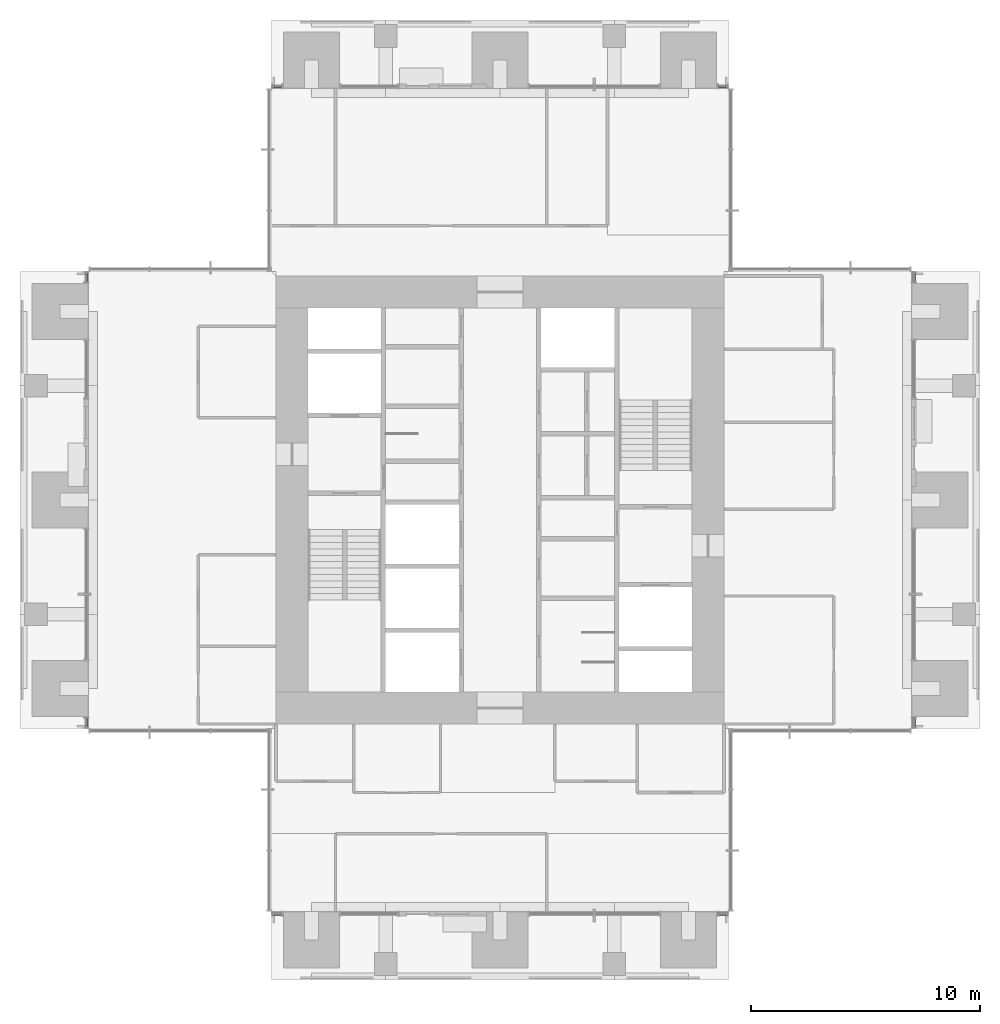
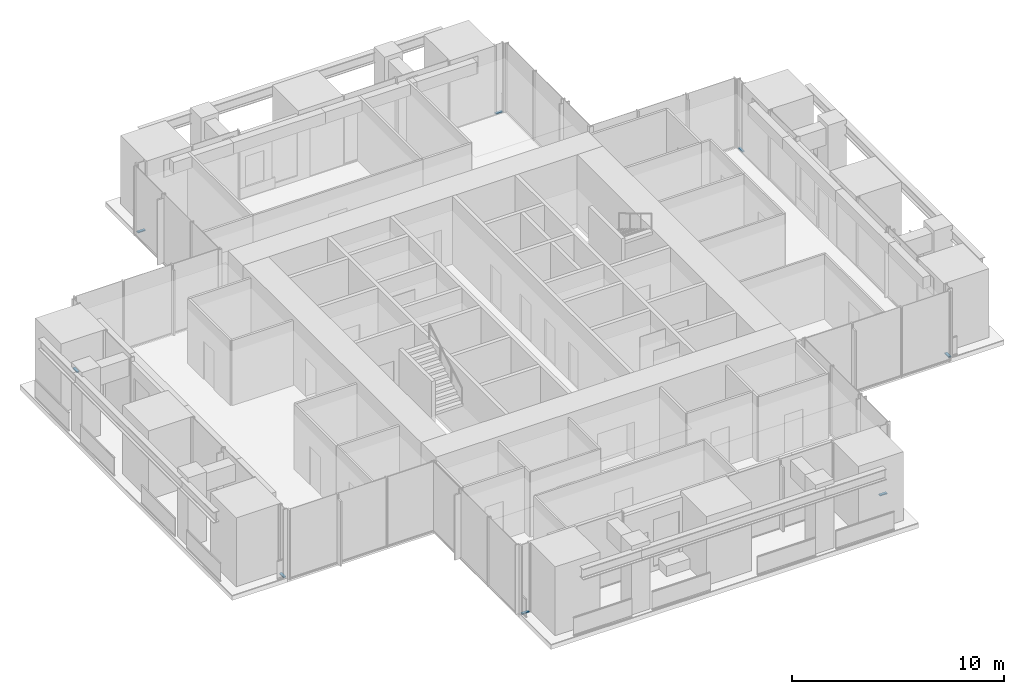
# One storey, part 6 of 17: 8 members, 8 elements without a shape of their own.
"""IFC4 building model written with IfcOpenShell, lengths in metres."""

from ifc_helpers import new_model, si_unit, direction, frame, origin, origin_2d, place, context, subcontext, project, spatial, rectangle, extrude, material, material_profile, profile_set, type_object, element, aggregate, save


model = new_model("IFC4")

# Units and contexts
model_context = context("Model", 3, precision=1e-05, world=origin(), true_north=direction((0.0, 1.0)))
body_context = subcontext(model_context, "Body", "Model", "MODEL_VIEW")
ifc_project = project(units=[si_unit("LENGTHUNIT", "METRE"), si_unit("AREAUNIT", "SQUARE_METRE"), si_unit("VOLUMEUNIT", "CUBIC_METRE"), si_unit("PLANEANGLEUNIT", "RADIAN"), si_unit("MASSUNIT", "GRAM", prefix="KILO")], contexts=[model_context])

# Site, building, storey
site_placement = place(None, origin())
site = spatial("IfcSite", under=ifc_project, at=site_placement, CompositionType="ELEMENT")
building_placement = place(site_placement, origin())
building = spatial("IfcBuilding", under=site, at=building_placement, Name="Svetlomir Tower", CompositionType="ELEMENT")
storey_placement = place(building_placement, frame((0.0, 0.0, 190.5)))
storey = spatial("IfcBuildingStorey", under=building, at=storey_placement, Name="L45", CompositionType="ELEMENT", Elevation=190.5)

# Curtain wall, member
ifc_material_1 = material(Name="Bronze anodised aluminium curtain wall", Category="aluminium")
curtain_wall_type = type_object("IfcCurtainWallType", Name="CURTAIN WALL CW1 TOWER OFFICE", PredefinedType="NOTDEFINED", material=ifc_material_1)
curtain_wall_1_placement = place(storey_placement, origin())
curtain_wall_1 = element("IfcCurtainWall", 1, at=curtain_wall_1_placement, inside=storey, type_object=curtain_wall_type, Name="Curtain wall CW1 L45", PredefinedType="NOTDEFINED")
ifc_material_2 = material(Name="Bronze anodised aluminium", Category="aluminium")
ifc_material_profile = material_profile(ifc_material_2, rectangle(XDim=0.139892578125, YDim=0.06494140625, at=origin_2d()), Name="AL 140x65")
ifc_profile_set = profile_set([ifc_material_profile], Name="Bronze anodised aluminium 6063-T6")
member_type = type_object("IfcMemberType", Name="CW1 TRANSOM 65x140", PredefinedType="USERDEFINED", material=ifc_profile_set)
member_1_placement = place(storey_placement, frame((11.06494140625, 2.89990234375, 0.032470703125), z_axis=(1.0, 0.0, 0.0), x_axis=(0.0, 1.0, 0.0)))
member_1 = element("IfcMember", 2, at=member_1_placement, type_object=member_type, Name="CW1 transom 1.1", ObjectType="TRANSOM", PredefinedType="USERDEFINED", context=body_context, shape_type="SweptSolid", body=[
    extrude(rectangle(XDim=0.139892578125, YDim=0.06494140625, at=origin_2d()), origin(), (0.0, 0.0, 1.0), 0.39501953125),
])
aggregate(curtain_wall_1, [member_1])

curtain_wall_2_placement = place(storey_placement, origin())
curtain_wall_2 = element("IfcCurtainWall", 3, at=curtain_wall_2_placement, inside=storey, type_object=curtain_wall_type, Name="Curtain wall CW1 L45", PredefinedType="NOTDEFINED")
member_2_placement = place(storey_placement, frame((30.5400390625, 2.89990234375, 0.032470703125), z_axis=(1.0, 0.0, 0.0), x_axis=(0.0, 1.0, 0.0)))
member_2 = element("IfcMember", 4, at=member_2_placement, type_object=member_type, Name="CW1 transom 1.1", ObjectType="TRANSOM", PredefinedType="USERDEFINED", context=body_context, shape_type="SweptSolid", body=[
    extrude(rectangle(XDim=0.139892578125, YDim=0.06494140625, at=origin_2d()), origin(), (0.0, 0.0, 1.0), 0.39501953125),
])
aggregate(curtain_wall_2, [member_2])

curtain_wall_3_placement = place(storey_placement, origin())
curtain_wall_3 = element("IfcCurtainWall", 5, at=curtain_wall_3_placement, inside=storey, type_object=curtain_wall_type, Name="Curtain wall CW1 L45", PredefinedType="NOTDEFINED")
member_3_placement = place(storey_placement, frame((39.10009765625, 11.06494140625, 0.032470703125), z_axis=(0.0, 1.0, 0.0), x_axis=(-1.0, 0.0, 0.0)))
member_3 = element("IfcMember", 6, at=member_3_placement, type_object=member_type, Name="CW1 transom 1.1", ObjectType="TRANSOM", PredefinedType="USERDEFINED", context=body_context, shape_type="SweptSolid", body=[
    extrude(rectangle(XDim=0.139892578125, YDim=0.06494140625, at=origin_2d()), origin(), (0.0, 0.0, 1.0), 0.39501953125),
])
aggregate(curtain_wall_3, [member_3])

curtain_wall_4_placement = place(storey_placement, origin())
curtain_wall_4 = element("IfcCurtainWall", 7, at=curtain_wall_4_placement, inside=storey, type_object=curtain_wall_type, Name="Curtain wall CW1 L45", PredefinedType="NOTDEFINED")
member_4_placement = place(storey_placement, frame((39.10009765625, 30.5400390625, 0.032470703125), z_axis=(0.0, 1.0, 0.0), x_axis=(-1.0, 0.0, 0.0)))
member_4 = element("IfcMember", 8, at=member_4_placement, type_object=member_type, Name="CW1 transom 1.1", ObjectType="TRANSOM", PredefinedType="USERDEFINED", context=body_context, shape_type="SweptSolid", body=[
    extrude(rectangle(XDim=0.139892578125, YDim=0.06494140625, at=origin_2d()), origin(), (0.0, 0.0, 1.0), 0.39501953125),
])
aggregate(curtain_wall_4, [member_4])

curtain_wall_5_placement = place(storey_placement, origin())
curtain_wall_5 = element("IfcCurtainWall", 9, at=curtain_wall_5_placement, inside=storey, type_object=curtain_wall_type, Name="Curtain wall CW1 L45", PredefinedType="NOTDEFINED")
member_5_placement = place(storey_placement, frame((30.93505859375, 39.10009765625, 0.032470703125), z_axis=(-1.0, 0.0, 0.0), x_axis=(0.0, -1.0, 0.0)))
member_5 = element("IfcMember", 10, at=member_5_placement, type_object=member_type, Name="CW1 transom 1.1", ObjectType="TRANSOM", PredefinedType="USERDEFINED", context=body_context, shape_type="SweptSolid", body=[
    extrude(rectangle(XDim=0.139892578125, YDim=0.06494140625, at=origin_2d()), origin(), (0.0, 0.0, 1.0), 0.39501953125),
])
aggregate(curtain_wall_5, [member_5])

curtain_wall_6_placement = place(storey_placement, origin())
curtain_wall_6 = element("IfcCurtainWall", 11, at=curtain_wall_6_placement, inside=storey, type_object=curtain_wall_type, Name="Curtain wall CW1 L45", PredefinedType="NOTDEFINED")
member_6_placement = place(storey_placement, frame((11.4599609375, 39.10009765625, 0.032470703125), z_axis=(-1.0, 0.0, 0.0), x_axis=(0.0, -1.0, 0.0)))
member_6 = element("IfcMember", 12, at=member_6_placement, type_object=member_type, Name="CW1 transom 1.1", ObjectType="TRANSOM", PredefinedType="USERDEFINED", context=body_context, shape_type="SweptSolid", body=[
    extrude(rectangle(XDim=0.139892578125, YDim=0.06494140625, at=origin_2d()), origin(), (0.0, 0.0, 1.0), 0.39501953125),
])
aggregate(curtain_wall_6, [member_6])

curtain_wall_7_placement = place(storey_placement, origin())
curtain_wall_7 = element("IfcCurtainWall", 13, at=curtain_wall_7_placement, inside=storey, type_object=curtain_wall_type, Name="Curtain wall CW1 L45", PredefinedType="NOTDEFINED")
member_7_placement = place(storey_placement, frame((2.89990234375, 30.93505859375, 0.032470703125), z_axis=(0.0, -1.0, 0.0), x_axis=(1.0, 0.0, 0.0)))
member_7 = element("IfcMember", 14, at=member_7_placement, type_object=member_type, Name="CW1 transom 1.1", ObjectType="TRANSOM", PredefinedType="USERDEFINED", context=body_context, shape_type="SweptSolid", body=[
    extrude(rectangle(XDim=0.139892578125, YDim=0.06494140625, at=origin_2d()), origin(), (0.0, 0.0, 1.0), 0.39501953125),
])
aggregate(curtain_wall_7, [member_7])

curtain_wall_8_placement = place(storey_placement, origin())
curtain_wall_8 = element("IfcCurtainWall", 15, at=curtain_wall_8_placement, inside=storey, type_object=curtain_wall_type, Name="Curtain wall CW1 L45", PredefinedType="NOTDEFINED")
member_8_placement = place(storey_placement, frame((2.89990234375, 11.4599609375, 0.032470703125), z_axis=(0.0, -1.0, 0.0), x_axis=(1.0, 0.0, 0.0)))
member_8 = element("IfcMember", 16, at=member_8_placement, type_object=member_type, Name="CW1 transom 1.1", ObjectType="TRANSOM", PredefinedType="USERDEFINED", context=body_context, shape_type="SweptSolid", body=[
    extrude(rectangle(XDim=0.139892578125, YDim=0.06494140625, at=origin_2d()), origin(), (0.0, 0.0, 1.0), 0.39501953125),
])
aggregate(curtain_wall_8, [member_8])

save(model, "model.ifc")
